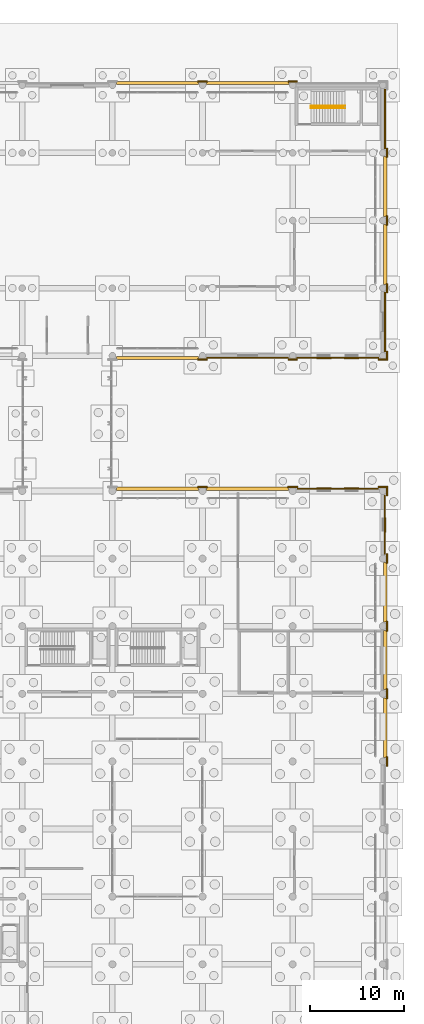
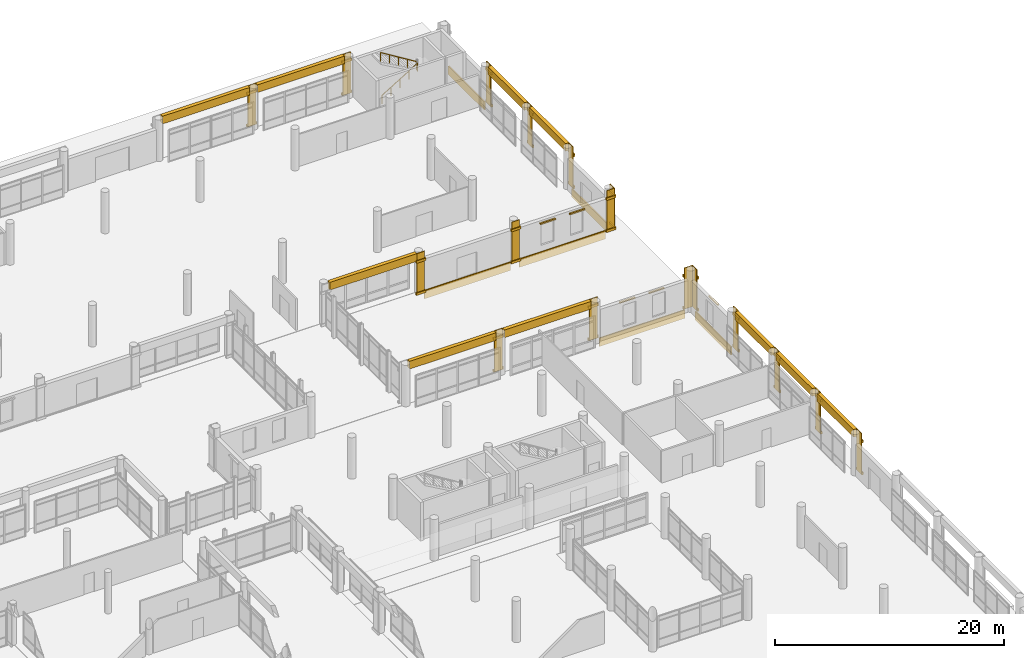
# One storey, part 193 of 196: 72 coverings, 2 railings.
"""IFC4 building model written with IfcOpenShell, lengths in metres."""

from ifc_helpers import new_model, si_unit, direction, frame, origin, origin_2d, place, context, subcontext, project, spatial, rectangle, circle, extrude, material, layer, layer_set, type_object, element, save


model = new_model("IFC4")

# Units and contexts
model_context = context("Model", 3, precision=1e-05, world=origin(), true_north=direction((0.0, 1.0)))
body_context = subcontext(model_context, "Body", "Model", "MODEL_VIEW")
ifc_project = project(units=[si_unit("LENGTHUNIT", "METRE"), si_unit("AREAUNIT", "SQUARE_METRE"), si_unit("VOLUMEUNIT", "CUBIC_METRE"), si_unit("PLANEANGLEUNIT", "RADIAN"), si_unit("MASSUNIT", "GRAM", prefix="KILO")], contexts=[model_context])

# Site, building, storey
site_placement = place(None, origin())
site = spatial("IfcSite", under=ifc_project, at=site_placement, CompositionType="ELEMENT")
building_placement = place(site_placement, origin())
building = spatial("IfcBuilding", under=site, at=building_placement, Name="Asteropetra Specialist Clinic", CompositionType="ELEMENT")
storey_placement = place(building_placement, origin())
storey = spatial("IfcBuildingStorey", under=building, at=storey_placement, Name="L00", CompositionType="ELEMENT", Elevation=0.0)

# Coverings
ifc_material_1 = material(Name="Pentelic marble ashlar", Category="masonry")
ifc_layer = layer(ifc_material_1, 0.159912109375)
ifc_layer_set = layer_set([ifc_layer], Name="Pentelic marble ashlar")
covering_type = type_object("IfcCoveringType", Name="CRN-ENTAB-600", PredefinedType="MOLDING", material=ifc_layer_set)
for number, where, z_axis, x_axis, name in (
    (1, (129.60009765625, 62.639892578125, 3.58984375), (0.0, 0.0, 1.0), (1.0, 0.0, 0.0), "Stoa Classical Entablature SE-0073"),
    (2, (139.199951171875, 62.639892578125, 3.58984375), (0.0, 0.0, 1.0), (1.0, 0.0, 0.0), "Stoa Classical Entablature SE-0075"),
):
    element("IfcCovering", number, at=place(storey_placement, frame(where, z_axis=z_axis, x_axis=x_axis)), inside=storey, type_object=covering_type, Name=name, PredefinedType="MOLDING", context=body_context, shape_type="SweptSolid", body=[
        extrude(rectangle(XDim=8.72998046875, YDim=0.360107421875, at=origin_2d()), origin(), (0.0, 0.0, 1.0), 0.820068359375),
    ])
for number, where, z_axis, x_axis, name in (
    (3, (153.840087890625, 37.199951171875, 3.58984375), (0.0, 0.0, 1.0), (1.0, 0.0, 0.0), "Stoa Classical Entablature SE-0083"),
    (4, (153.840087890625, 44.39990234375, 3.58984375), (0.0, 0.0, 1.0), (1.0, 0.0, 0.0), "Stoa Classical Entablature SE-0085"),
    (5, (153.840087890625, 51.60009765625, 3.58984375), (0.0, 0.0, 1.0), (1.0, 0.0, 0.0), "Stoa Classical Entablature SE-0086"),
):
    element("IfcCovering", number, at=place(storey_placement, frame(where, z_axis=z_axis, x_axis=x_axis)), inside=storey, type_object=covering_type, Name=name, PredefinedType="MOLDING", context=body_context, shape_type="SweptSolid", body=[
        extrude(rectangle(XDim=0.360107421875, YDim=6.330078125, at=origin_2d()), origin(), (0.0, 0.0, 1.0), 0.820068359375),
    ])
for number, where, z_axis, x_axis, name in (
    (6, (129.60009765625, 76.56005859375, 3.58984375), (0.0, 0.0, 1.0), (1.0, 0.0, 0.0), "Stoa Classical Entablature SE-0090"),
    (7, (129.60009765625, 105.840087890625, 3.58984375), (0.0, 0.0, 1.0), (1.0, 0.0, 0.0), "Stoa Classical Entablature SE-0091"),
    (8, (139.199951171875, 105.840087890625, 3.58984375), (0.0, 0.0, 1.0), (1.0, 0.0, 0.0), "Stoa Classical Entablature SE-0092"),
):
    element("IfcCovering", number, at=place(storey_placement, frame(where, z_axis=z_axis, x_axis=x_axis)), inside=storey, type_object=covering_type, Name=name, PredefinedType="MOLDING", context=body_context, shape_type="SweptSolid", body=[
        extrude(rectangle(XDim=8.780029296875, YDim=0.360107421875, at=origin_2d()), origin(), (0.0, 0.0, 1.0), 0.820068359375),
    ])
for number, where, z_axis, x_axis, name in (
    (9, (153.840087890625, 87.60009765625, 3.58984375), (0.0, 0.0, 1.0), (1.0, 0.0, 0.0), "Stoa Classical Entablature SE-0094"),
    (10, (153.840087890625, 94.800048828125, 3.58984375), (0.0, 0.0, 1.0), (1.0, 0.0, 0.0), "Stoa Classical Entablature SE-0096"),
):
    element("IfcCovering", number, at=place(storey_placement, frame(where, z_axis=z_axis, x_axis=x_axis)), inside=storey, type_object=covering_type, Name=name, PredefinedType="MOLDING", context=body_context, shape_type="SweptSolid", body=[
        extrude(rectangle(XDim=0.360107421875, YDim=6.3798828125, at=origin_2d()), origin(), (0.0, 0.0, 1.0), 0.820068359375),
    ])
covering_1_placement = place(storey_placement, frame((134.39990234375, 76.41796875, 0.02001953125), z_axis=(0.0, 0.0, 1.0), x_axis=(1.0, 0.0, 0.0)))
element("IfcCovering", 11, at=covering_1_placement, inside=storey, type_object=covering_type, Name="Neoclassical Pilaster Facing CM-0142", PredefinedType="MOLDING", context=body_context, shape_type="SweptSolid", body=[
    extrude(rectangle(XDim=0.780029296875, YDim=0.080078125, at=origin_2d()), origin(), (0.0, 0.0, 1.0), 4.3798828125),
])
for number, where, z_axis, x_axis, name in (
    (12, (134.39990234375, 76.3779296875, 0.009765625), (0.0, 0.0, 1.0), (1.0, 0.0, 0.0), "Doric Base CC-0143"),
    (13, (134.39990234375, 76.3779296875, 3.43017578125), (0.0, 0.0, 1.0), (1.0, 0.0, 0.0), "Doric Capital CC-0144"),
):
    element("IfcCovering", number, at=place(storey_placement, frame(where, z_axis=z_axis, x_axis=x_axis)), inside=storey, type_object=covering_type, Name=name, PredefinedType="MOLDING", context=body_context, shape_type="SweptSolid", body=[
        extrude(rectangle(XDim=0.97998046875, YDim=0.159912109375, at=origin_2d()), origin(), (0.0, 0.0, 1.0), 0.260009765625),
    ])
covering_2_placement = place(storey_placement, frame((134.39990234375, 105.98193359375, 0.02001953125), z_axis=(0.0, 0.0, 1.0), x_axis=(1.0, 0.0, 0.0)))
element("IfcCovering", 14, at=covering_2_placement, inside=storey, type_object=covering_type, Name="Neoclassical Pilaster Facing CM-0145", PredefinedType="MOLDING", context=body_context, shape_type="SweptSolid", body=[
    extrude(rectangle(XDim=0.780029296875, YDim=0.080078125, at=origin_2d()), origin(), (0.0, 0.0, 1.0), 4.3798828125),
])
for number, where, z_axis, x_axis, name in (
    (15, (134.39990234375, 106.02197265625, 0.009765625), (0.0, 0.0, 1.0), (1.0, 0.0, 0.0), "Doric Base CC-0146"),
    (16, (134.39990234375, 106.02197265625, 3.43017578125), (0.0, 0.0, 1.0), (1.0, 0.0, 0.0), "Doric Capital CC-0147"),
):
    element("IfcCovering", number, at=place(storey_placement, frame(where, z_axis=z_axis, x_axis=x_axis)), inside=storey, type_object=covering_type, Name=name, PredefinedType="MOLDING", context=body_context, shape_type="SweptSolid", body=[
        extrude(rectangle(XDim=0.97998046875, YDim=0.159912109375, at=origin_2d()), origin(), (0.0, 0.0, 1.0), 0.260009765625),
    ])
covering_3_placement = place(storey_placement, frame((144.0, 76.41796875, 0.02001953125), z_axis=(0.0, 0.0, 1.0), x_axis=(1.0, 0.0, 0.0)))
element("IfcCovering", 17, at=covering_3_placement, inside=storey, type_object=covering_type, Name="Neoclassical Pilaster Facing CM-0148", PredefinedType="MOLDING", context=body_context, shape_type="SweptSolid", body=[
    extrude(rectangle(XDim=0.780029296875, YDim=0.080078125, at=origin_2d()), origin(), (0.0, 0.0, 1.0), 4.3798828125),
])
for number, where, z_axis, x_axis, name in (
    (18, (144.0, 76.3779296875, 0.009765625), (0.0, 0.0, 1.0), (1.0, 0.0, 0.0), "Doric Base CC-0149"),
    (19, (144.0, 76.3779296875, 3.43017578125), (0.0, 0.0, 1.0), (1.0, 0.0, 0.0), "Doric Capital CC-0150"),
):
    element("IfcCovering", number, at=place(storey_placement, frame(where, z_axis=z_axis, x_axis=x_axis)), inside=storey, type_object=covering_type, Name=name, PredefinedType="MOLDING", context=body_context, shape_type="SweptSolid", body=[
        extrude(rectangle(XDim=0.97998046875, YDim=0.159912109375, at=origin_2d()), origin(), (0.0, 0.0, 1.0), 0.260009765625),
    ])
covering_4_placement = place(storey_placement, frame((144.0, 105.98193359375, 0.02001953125), z_axis=(0.0, 0.0, 1.0), x_axis=(1.0, 0.0, 0.0)))
element("IfcCovering", 20, at=covering_4_placement, inside=storey, type_object=covering_type, Name="Neoclassical Pilaster Facing CM-0151", PredefinedType="MOLDING", context=body_context, shape_type="SweptSolid", body=[
    extrude(rectangle(XDim=0.780029296875, YDim=0.080078125, at=origin_2d()), origin(), (0.0, 0.0, 1.0), 4.3798828125),
])
for number, where, z_axis, x_axis, name in (
    (21, (144.0, 106.02197265625, 0.009765625), (0.0, 0.0, 1.0), (1.0, 0.0, 0.0), "Doric Base CC-0152"),
    (22, (144.0, 106.02197265625, 3.43017578125), (0.0, 0.0, 1.0), (1.0, 0.0, 0.0), "Doric Capital CC-0153"),
):
    element("IfcCovering", number, at=place(storey_placement, frame(where, z_axis=z_axis, x_axis=x_axis)), inside=storey, type_object=covering_type, Name=name, PredefinedType="MOLDING", context=body_context, shape_type="SweptSolid", body=[
        extrude(rectangle(XDim=0.97998046875, YDim=0.159912109375, at=origin_2d()), origin(), (0.0, 0.0, 1.0), 0.260009765625),
    ])
covering_5_placement = place(storey_placement, frame((153.60009765625, 76.41796875, 0.02001953125), z_axis=(0.0, 0.0, 1.0), x_axis=(1.0, 0.0, 0.0)))
element("IfcCovering", 23, at=covering_5_placement, inside=storey, type_object=covering_type, Name="Neoclassical Pilaster Facing CM-0154", PredefinedType="MOLDING", context=body_context, shape_type="SweptSolid", body=[
    extrude(rectangle(XDim=0.780029296875, YDim=0.080078125, at=origin_2d()), origin(), (0.0, 0.0, 1.0), 4.3798828125),
])
for number, where, z_axis, x_axis, name in (
    (24, (153.60009765625, 76.3779296875, 0.009765625), (0.0, 0.0, 1.0), (1.0, 0.0, 0.0), "Doric Base CC-0155"),
    (25, (153.60009765625, 76.3779296875, 3.43017578125), (0.0, 0.0, 1.0), (1.0, 0.0, 0.0), "Doric Capital CC-0156"),
):
    element("IfcCovering", number, at=place(storey_placement, frame(where, z_axis=z_axis, x_axis=x_axis)), inside=storey, type_object=covering_type, Name=name, PredefinedType="MOLDING", context=body_context, shape_type="SweptSolid", body=[
        extrude(rectangle(XDim=0.97998046875, YDim=0.159912109375, at=origin_2d()), origin(), (0.0, 0.0, 1.0), 0.260009765625),
    ])
covering_6_placement = place(storey_placement, frame((153.98193359375, 76.800048828125, 0.02001953125), z_axis=(0.0, 0.0, 1.0), x_axis=(1.0, 0.0, 0.0)))
element("IfcCovering", 26, at=covering_6_placement, inside=storey, type_object=covering_type, Name="Neoclassical Pilaster Facing CM-0157", PredefinedType="MOLDING", context=body_context, shape_type="SweptSolid", body=[
    extrude(rectangle(XDim=0.080078125, YDim=0.780029296875, at=origin_2d()), origin(), (0.0, 0.0, 1.0), 4.3798828125),
])
for number, where, z_axis, x_axis, name in (
    (27, (154.02197265625, 76.800048828125, 0.009765625), (0.0, 0.0, 1.0), (1.0, 0.0, 0.0), "Doric Base CC-0158"),
    (28, (154.02197265625, 76.800048828125, 3.43017578125), (0.0, 0.0, 1.0), (1.0, 0.0, 0.0), "Doric Capital CC-0159"),
):
    element("IfcCovering", number, at=place(storey_placement, frame(where, z_axis=z_axis, x_axis=x_axis)), inside=storey, type_object=covering_type, Name=name, PredefinedType="MOLDING", context=body_context, shape_type="SweptSolid", body=[
        extrude(rectangle(XDim=0.159912109375, YDim=0.97998046875, at=origin_2d()), origin(), (0.0, 0.0, 1.0), 0.260009765625),
    ])
covering_7_placement = place(storey_placement, frame((153.98193359375, 84.0, 0.02001953125), z_axis=(0.0, 0.0, 1.0), x_axis=(1.0, 0.0, 0.0)))
element("IfcCovering", 29, at=covering_7_placement, inside=storey, type_object=covering_type, Name="Neoclassical Pilaster Facing CM-0160", PredefinedType="MOLDING", context=body_context, shape_type="SweptSolid", body=[
    extrude(rectangle(XDim=0.080078125, YDim=0.780029296875, at=origin_2d()), origin(), (0.0, 0.0, 1.0), 4.3798828125),
])
for number, where, z_axis, x_axis, name in (
    (30, (154.02197265625, 84.0, 0.009765625), (0.0, 0.0, 1.0), (1.0, 0.0, 0.0), "Doric Base CC-0161"),
    (31, (154.02197265625, 84.0, 3.43017578125), (0.0, 0.0, 1.0), (1.0, 0.0, 0.0), "Doric Capital CC-0162"),
):
    element("IfcCovering", number, at=place(storey_placement, frame(where, z_axis=z_axis, x_axis=x_axis)), inside=storey, type_object=covering_type, Name=name, PredefinedType="MOLDING", context=body_context, shape_type="SweptSolid", body=[
        extrude(rectangle(XDim=0.159912109375, YDim=0.97998046875, at=origin_2d()), origin(), (0.0, 0.0, 1.0), 0.260009765625),
    ])
covering_8_placement = place(storey_placement, frame((153.98193359375, 91.199951171875, 0.02001953125), z_axis=(0.0, 0.0, 1.0), x_axis=(1.0, 0.0, 0.0)))
element("IfcCovering", 32, at=covering_8_placement, inside=storey, type_object=covering_type, Name="Neoclassical Pilaster Facing CM-0163", PredefinedType="MOLDING", context=body_context, shape_type="SweptSolid", body=[
    extrude(rectangle(XDim=0.080078125, YDim=0.780029296875, at=origin_2d()), origin(), (0.0, 0.0, 1.0), 4.3798828125),
])
for number, where, z_axis, x_axis, name in (
    (33, (154.02197265625, 91.199951171875, 0.009765625), (0.0, 0.0, 1.0), (1.0, 0.0, 0.0), "Doric Base CC-0164"),
    (34, (154.02197265625, 91.199951171875, 3.43017578125), (0.0, 0.0, 1.0), (1.0, 0.0, 0.0), "Doric Capital CC-0165"),
):
    element("IfcCovering", number, at=place(storey_placement, frame(where, z_axis=z_axis, x_axis=x_axis)), inside=storey, type_object=covering_type, Name=name, PredefinedType="MOLDING", context=body_context, shape_type="SweptSolid", body=[
        extrude(rectangle(XDim=0.159912109375, YDim=0.97998046875, at=origin_2d()), origin(), (0.0, 0.0, 1.0), 0.260009765625),
    ])
covering_9_placement = place(storey_placement, frame((153.98193359375, 98.39990234375, 0.02001953125), z_axis=(0.0, 0.0, 1.0), x_axis=(1.0, 0.0, 0.0)))
element("IfcCovering", 35, at=covering_9_placement, inside=storey, type_object=covering_type, Name="Neoclassical Pilaster Facing CM-0166", PredefinedType="MOLDING", context=body_context, shape_type="SweptSolid", body=[
    extrude(rectangle(XDim=0.080078125, YDim=0.780029296875, at=origin_2d()), origin(), (0.0, 0.0, 1.0), 4.3798828125),
])
for number, where, z_axis, x_axis, name in (
    (36, (154.02197265625, 98.39990234375, 0.009765625), (0.0, 0.0, 1.0), (1.0, 0.0, 0.0), "Doric Base CC-0167"),
    (37, (154.02197265625, 98.39990234375, 3.43017578125), (0.0, 0.0, 1.0), (1.0, 0.0, 0.0), "Doric Capital CC-0168"),
):
    element("IfcCovering", number, at=place(storey_placement, frame(where, z_axis=z_axis, x_axis=x_axis)), inside=storey, type_object=covering_type, Name=name, PredefinedType="MOLDING", context=body_context, shape_type="SweptSolid", body=[
        extrude(rectangle(XDim=0.159912109375, YDim=0.97998046875, at=origin_2d()), origin(), (0.0, 0.0, 1.0), 0.260009765625),
    ])
covering_10_placement = place(storey_placement, frame((134.39990234375, 62.806884765625, 0.02001953125), z_axis=(0.0, 0.0, 1.0), x_axis=(1.0, 0.0, 0.0)))
element("IfcCovering", 38, at=covering_10_placement, inside=storey, type_object=covering_type, Name="Neoclassical Pilaster Facing CM-0968", PredefinedType="MOLDING", context=body_context, shape_type="SweptSolid", body=[
    extrude(rectangle(XDim=0.830078125, YDim=0.080078125, at=origin_2d()), origin(), (0.0, 0.0, 1.0), 4.3798828125),
])
for number, where, z_axis, x_axis, name in (
    (39, (134.39990234375, 62.846923828125, 0.009765625), (0.0, 0.0, 1.0), (1.0, 0.0, 0.0), "Doric Base CC-0969"),
    (40, (134.39990234375, 62.846923828125, 3.43017578125), (0.0, 0.0, 1.0), (1.0, 0.0, 0.0), "Doric Capital CC-0970"),
):
    element("IfcCovering", number, at=place(storey_placement, frame(where, z_axis=z_axis, x_axis=x_axis)), inside=storey, type_object=covering_type, Name=name, PredefinedType="MOLDING", context=body_context, shape_type="SweptSolid", body=[
        extrude(rectangle(XDim=1.030029296875, YDim=0.159912109375, at=origin_2d()), origin(), (0.0, 0.0, 1.0), 0.260009765625),
    ])
covering_11_placement = place(storey_placement, frame((144.0, 62.806884765625, 0.02001953125), z_axis=(0.0, 0.0, 1.0), x_axis=(1.0, 0.0, 0.0)))
element("IfcCovering", 41, at=covering_11_placement, inside=storey, type_object=covering_type, Name="Neoclassical Pilaster Facing CM-0974", PredefinedType="MOLDING", context=body_context, shape_type="SweptSolid", body=[
    extrude(rectangle(XDim=0.830078125, YDim=0.080078125, at=origin_2d()), origin(), (0.0, 0.0, 1.0), 4.3798828125),
])
for number, where, z_axis, x_axis, name in (
    (42, (144.0, 62.846923828125, 0.009765625), (0.0, 0.0, 1.0), (1.0, 0.0, 0.0), "Doric Base CC-0975"),
    (43, (144.0, 62.846923828125, 3.43017578125), (0.0, 0.0, 1.0), (1.0, 0.0, 0.0), "Doric Capital CC-0976"),
):
    element("IfcCovering", number, at=place(storey_placement, frame(where, z_axis=z_axis, x_axis=x_axis)), inside=storey, type_object=covering_type, Name=name, PredefinedType="MOLDING", context=body_context, shape_type="SweptSolid", body=[
        extrude(rectangle(XDim=1.030029296875, YDim=0.159912109375, at=origin_2d()), origin(), (0.0, 0.0, 1.0), 0.260009765625),
    ])
covering_12_placement = place(storey_placement, frame((154.007080078125, 33.60009765625, 0.02001953125), z_axis=(0.0, 0.0, 1.0), x_axis=(1.0, 0.0, 0.0)))
element("IfcCovering", 44, at=covering_12_placement, inside=storey, type_object=covering_type, Name="Neoclassical Pilaster Facing CM-0995", PredefinedType="MOLDING", context=body_context, shape_type="SweptSolid", body=[
    extrude(rectangle(XDim=0.080078125, YDim=0.830078125, at=origin_2d()), origin(), (0.0, 0.0, 1.0), 4.3798828125),
])
for number, where, z_axis, x_axis, name in (
    (45, (154.047119140625, 33.60009765625, 0.009765625), (0.0, 0.0, 1.0), (1.0, 0.0, 0.0), "Doric Base CC-0996"),
    (46, (154.047119140625, 33.60009765625, 3.43017578125), (0.0, 0.0, 1.0), (1.0, 0.0, 0.0), "Doric Capital CC-0997"),
):
    element("IfcCovering", number, at=place(storey_placement, frame(where, z_axis=z_axis, x_axis=x_axis)), inside=storey, type_object=covering_type, Name=name, PredefinedType="MOLDING", context=body_context, shape_type="SweptSolid", body=[
        extrude(rectangle(XDim=0.159912109375, YDim=1.030029296875, at=origin_2d()), origin(), (0.0, 0.0, 1.0), 0.260009765625),
    ])
covering_13_placement = place(storey_placement, frame((154.007080078125, 40.800048828125, 0.02001953125), z_axis=(0.0, 0.0, 1.0), x_axis=(1.0, 0.0, 0.0)))
element("IfcCovering", 47, at=covering_13_placement, inside=storey, type_object=covering_type, Name="Neoclassical Pilaster Facing CM-0998", PredefinedType="MOLDING", context=body_context, shape_type="SweptSolid", body=[
    extrude(rectangle(XDim=0.080078125, YDim=0.830078125, at=origin_2d()), origin(), (0.0, 0.0, 1.0), 4.3798828125),
])
for number, where, z_axis, x_axis, name in (
    (48, (154.047119140625, 40.800048828125, 0.009765625), (0.0, 0.0, 1.0), (1.0, 0.0, 0.0), "Doric Base CC-0999"),
    (49, (154.047119140625, 40.800048828125, 3.43017578125), (0.0, 0.0, 1.0), (1.0, 0.0, 0.0), "Doric Capital CC-1000"),
):
    element("IfcCovering", number, at=place(storey_placement, frame(where, z_axis=z_axis, x_axis=x_axis)), inside=storey, type_object=covering_type, Name=name, PredefinedType="MOLDING", context=body_context, shape_type="SweptSolid", body=[
        extrude(rectangle(XDim=0.159912109375, YDim=1.030029296875, at=origin_2d()), origin(), (0.0, 0.0, 1.0), 0.260009765625),
    ])
covering_14_placement = place(storey_placement, frame((154.007080078125, 48.0, 0.02001953125), z_axis=(0.0, 0.0, 1.0), x_axis=(1.0, 0.0, 0.0)))
element("IfcCovering", 50, at=covering_14_placement, inside=storey, type_object=covering_type, Name="Neoclassical Pilaster Facing CM-1001", PredefinedType="MOLDING", context=body_context, shape_type="SweptSolid", body=[
    extrude(rectangle(XDim=0.080078125, YDim=0.830078125, at=origin_2d()), origin(), (0.0, 0.0, 1.0), 4.3798828125),
])
for number, where, z_axis, x_axis, name in (
    (51, (154.047119140625, 48.0, 0.009765625), (0.0, 0.0, 1.0), (1.0, 0.0, 0.0), "Doric Base CC-1002"),
    (52, (154.047119140625, 48.0, 3.43017578125), (0.0, 0.0, 1.0), (1.0, 0.0, 0.0), "Doric Capital CC-1003"),
):
    element("IfcCovering", number, at=place(storey_placement, frame(where, z_axis=z_axis, x_axis=x_axis)), inside=storey, type_object=covering_type, Name=name, PredefinedType="MOLDING", context=body_context, shape_type="SweptSolid", body=[
        extrude(rectangle(XDim=0.159912109375, YDim=1.030029296875, at=origin_2d()), origin(), (0.0, 0.0, 1.0), 0.260009765625),
    ])
covering_15_placement = place(storey_placement, frame((154.007080078125, 55.199951171875, 0.02001953125), z_axis=(0.0, 0.0, 1.0), x_axis=(1.0, 0.0, 0.0)))
element("IfcCovering", 53, at=covering_15_placement, inside=storey, type_object=covering_type, Name="Neoclassical Pilaster Facing CM-1004", PredefinedType="MOLDING", context=body_context, shape_type="SweptSolid", body=[
    extrude(rectangle(XDim=0.080078125, YDim=0.830078125, at=origin_2d()), origin(), (0.0, 0.0, 1.0), 4.3798828125),
])
for number, where, z_axis, x_axis, name in (
    (54, (154.047119140625, 55.199951171875, 0.009765625), (0.0, 0.0, 1.0), (1.0, 0.0, 0.0), "Doric Base CC-1005"),
    (55, (154.047119140625, 55.199951171875, 3.43017578125), (0.0, 0.0, 1.0), (1.0, 0.0, 0.0), "Doric Capital CC-1006"),
):
    element("IfcCovering", number, at=place(storey_placement, frame(where, z_axis=z_axis, x_axis=x_axis)), inside=storey, type_object=covering_type, Name=name, PredefinedType="MOLDING", context=body_context, shape_type="SweptSolid", body=[
        extrude(rectangle(XDim=0.159912109375, YDim=1.030029296875, at=origin_2d()), origin(), (0.0, 0.0, 1.0), 0.260009765625),
    ])
covering_16_placement = place(storey_placement, frame((153.60009765625, 62.806884765625, 0.02001953125), z_axis=(0.0, 0.0, 1.0), x_axis=(1.0, 0.0, 0.0)))
element("IfcCovering", 56, at=covering_16_placement, inside=storey, type_object=covering_type, Name="Neoclassical Pilaster Facing CM-1007", PredefinedType="MOLDING", context=body_context, shape_type="SweptSolid", body=[
    extrude(rectangle(XDim=0.830078125, YDim=0.080078125, at=origin_2d()), origin(), (0.0, 0.0, 1.0), 4.3798828125),
])
for number, where, z_axis, x_axis, name in (
    (57, (153.60009765625, 62.846923828125, 0.009765625), (0.0, 0.0, 1.0), (1.0, 0.0, 0.0), "Doric Base CC-1008"),
    (58, (153.60009765625, 62.846923828125, 3.43017578125), (0.0, 0.0, 1.0), (1.0, 0.0, 0.0), "Doric Capital CC-1009"),
):
    element("IfcCovering", number, at=place(storey_placement, frame(where, z_axis=z_axis, x_axis=x_axis)), inside=storey, type_object=covering_type, Name=name, PredefinedType="MOLDING", context=body_context, shape_type="SweptSolid", body=[
        extrude(rectangle(XDim=1.030029296875, YDim=0.159912109375, at=origin_2d()), origin(), (0.0, 0.0, 1.0), 0.260009765625),
    ])
covering_17_placement = place(storey_placement, frame((154.007080078125, 62.39990234375, 0.02001953125), z_axis=(0.0, 0.0, 1.0), x_axis=(1.0, 0.0, 0.0)))
element("IfcCovering", 59, at=covering_17_placement, inside=storey, type_object=covering_type, Name="Neoclassical Pilaster Facing CM-1010", PredefinedType="MOLDING", context=body_context, shape_type="SweptSolid", body=[
    extrude(rectangle(XDim=0.080078125, YDim=0.830078125, at=origin_2d()), origin(), (0.0, 0.0, 1.0), 4.3798828125),
])
for number, where, z_axis, x_axis, name in (
    (60, (154.047119140625, 62.39990234375, 0.009765625), (0.0, 0.0, 1.0), (1.0, 0.0, 0.0), "Doric Base CC-1011"),
    (61, (154.047119140625, 62.39990234375, 3.43017578125), (0.0, 0.0, 1.0), (1.0, 0.0, 0.0), "Doric Capital CC-1012"),
):
    element("IfcCovering", number, at=place(storey_placement, frame(where, z_axis=z_axis, x_axis=x_axis)), inside=storey, type_object=covering_type, Name=name, PredefinedType="MOLDING", context=body_context, shape_type="SweptSolid", body=[
        extrude(rectangle(XDim=0.159912109375, YDim=1.030029296875, at=origin_2d()), origin(), (0.0, 0.0, 1.0), 0.260009765625),
    ])
covering_18_placement = place(storey_placement, frame((139.199951171875, 76.570068359375, -0.800048828125), z_axis=(0.0, 0.0, 1.0), x_axis=(1.0, 0.0, 0.0)))
element("IfcCovering", 62, at=covering_18_placement, inside=storey, type_object=covering_type, Name="Chevron Spandrel Band CV-1195", PredefinedType="MOLDING", context=body_context, shape_type="SweptSolid", body=[
    extrude(rectangle(XDim=8.699951171875, YDim=0.1201171875, at=origin_2d()), origin(), (0.0, 0.0, 1.0), 0.8798828125),
])
for number, where, z_axis, x_axis, name in (
    (63, (147.316650390625, 76.5400390625, 3.05029296875), (0.0, 0.0, 1.0), (1.0, 0.0, 0.0), "Classical Window Hood WH-1196"),
    (64, (150.283203125, 76.5400390625, 3.05029296875), (0.0, 0.0, 1.0), (1.0, 0.0, 0.0), "Classical Window Hood WH-1197"),
):
    element("IfcCovering", number, at=place(storey_placement, frame(where, z_axis=z_axis, x_axis=x_axis)), inside=storey, type_object=covering_type, Name=name, PredefinedType="MOLDING", context=body_context, shape_type="SweptSolid", body=[
        extrude(rectangle(XDim=1.5400390625, YDim=0.159912109375, at=origin_2d()), origin(), (0.0, 0.0, 1.0), 0.139892578125),
    ])
covering_19_placement = place(storey_placement, frame((148.800048828125, 76.570068359375, -0.800048828125), z_axis=(0.0, 0.0, 1.0), x_axis=(1.0, 0.0, 0.0)))
element("IfcCovering", 65, at=covering_19_placement, inside=storey, type_object=covering_type, Name="Chevron Spandrel Band CV-1198", PredefinedType="MOLDING", context=body_context, shape_type="SweptSolid", body=[
    extrude(rectangle(XDim=8.699951171875, YDim=0.1201171875, at=origin_2d()), origin(), (0.0, 0.0, 1.0), 0.8798828125),
])
for number, where, z_axis, x_axis, name in (
    (66, (153.830078125, 80.39990234375, -0.800048828125), (0.0, 0.0, 1.0), (1.0, 0.0, 0.0), "Chevron Spandrel Band CV-1200"),
    (67, (153.830078125, 102.0, -0.800048828125), (0.0, 0.0, 1.0), (1.0, 0.0, 0.0), "Chevron Spandrel Band CV-1202"),
):
    element("IfcCovering", number, at=place(storey_placement, frame(where, z_axis=z_axis, x_axis=x_axis)), inside=storey, type_object=covering_type, Name=name, PredefinedType="MOLDING", context=body_context, shape_type="SweptSolid", body=[
        extrude(rectangle(XDim=0.1201171875, YDim=6.300048828125, at=origin_2d()), origin(), (0.0, 0.0, 1.0), 0.8798828125),
    ])
for number, where, z_axis, x_axis, name in (
    (68, (150.27490234375, 62.64990234375, 3.05029296875), (0.0, 0.0, 1.0), (1.0, 0.0, 0.0), "Classical Window Hood WH-1998"),
    (69, (147.324951171875, 62.64990234375, 3.05029296875), (0.0, 0.0, 1.0), (1.0, 0.0, 0.0), "Classical Window Hood WH-1999"),
):
    element("IfcCovering", number, at=place(storey_placement, frame(where, z_axis=z_axis, x_axis=x_axis)), inside=storey, type_object=covering_type, Name=name, PredefinedType="MOLDING", context=body_context, shape_type="SweptSolid", body=[
        extrude(rectangle(XDim=1.5400390625, YDim=0.159912109375, at=origin_2d()), origin(), (0.0, 0.0, 1.0), 0.139892578125),
    ])
covering_20_placement = place(storey_placement, frame((148.800048828125, 62.6201171875, -0.800048828125), z_axis=(0.0, 0.0, 1.0), x_axis=(1.0, 0.0, 0.0)))
element("IfcCovering", 70, at=covering_20_placement, inside=storey, type_object=covering_type, Name="Chevron Spandrel Band CV-2000", PredefinedType="MOLDING", context=body_context, shape_type="SweptSolid", body=[
    extrude(rectangle(XDim=8.64990234375, YDim=0.1201171875, at=origin_2d()), origin(), (0.0, 0.0, 1.0), 0.8798828125),
])
covering_21_placement = place(storey_placement, frame((153.85009765625, 58.800048828125, 3.05029296875), z_axis=(0.0, 0.0, 1.0), x_axis=(1.0, 0.0, 0.0)))
element("IfcCovering", 71, at=covering_21_placement, inside=storey, type_object=covering_type, Name="Classical Window Hood WH-2009", PredefinedType="MOLDING", context=body_context, shape_type="SweptSolid", body=[
    extrude(rectangle(XDim=0.159912109375, YDim=1.5400390625, at=origin_2d()), origin(), (0.0, 0.0, 1.0), 0.139892578125),
])
covering_22_placement = place(storey_placement, frame((153.820068359375, 58.800048828125, -0.800048828125), z_axis=(0.0, 0.0, 1.0), x_axis=(1.0, 0.0, 0.0)))
element("IfcCovering", 72, at=covering_22_placement, inside=storey, type_object=covering_type, Name="Chevron Spandrel Band CV-2010", PredefinedType="MOLDING", context=body_context, shape_type="SweptSolid", body=[
    extrude(rectangle(XDim=0.1201171875, YDim=6.25, at=origin_2d()), origin(), (0.0, 0.0, 1.0), 0.8798828125),
])

# Railings
ifc_material_2 = material(Name="Brushed stainless steel handrail", Category="steel")
railing_type = type_object("IfcRailingType", Name="HRL-STAIR-920", PredefinedType="HANDRAIL", material=ifc_material_2)
railing_1_placement = place(storey_placement, frame((145.949951171875, 103.169921875, 0.0)))
element("IfcRailing", 73, at=railing_1_placement, inside=storey, type_object=railing_type, Name="Stair Handrail ST12-L00 F1", PredefinedType="HANDRAIL", context=body_context, shape_type="SweptSolid", body=[
    extrude(circle(Radius=0.02392578125, at=origin_2d()), frame((0.0, 0.0, 0.89599609375), z_axis=(0.85223722916, 0.0, 0.523155526811), x_axis=(0.0, 1.0, 0.0)), (0.0, 0.0, 1.0), 4.224365234375),
    extrude(circle(Radius=0.02099609375, at=origin_2d()), origin(), (0.0, 0.0, 1.0), 0.871826171875),
    extrude(circle(Radius=0.02099609375, at=origin_2d()), frame((0.89990234375, 0.0, 0.552490234375)), (0.0, 0.0, 1.0), 0.871826171875),
    extrude(circle(Radius=0.02099609375, at=origin_2d()), frame((1.800048828125, 0.0, 1.10498046875)), (0.0, 0.0, 1.0), 0.871826171875),
    extrude(circle(Radius=0.02099609375, at=origin_2d()), frame((2.7001953125, 0.0, 1.657470703125)), (0.0, 0.0, 1.0), 0.871826171875),
    extrude(circle(Radius=0.02099609375, at=origin_2d()), frame((3.60009765625, 0.0, 2.2099609375)), (0.0, 0.0, 1.0), 0.871826171875),
])
railing_2_placement = place(storey_placement, frame((149.550048828125, 103.409912109375, 2.2099609375)))
element("IfcRailing", 74, at=railing_2_placement, inside=storey, type_object=railing_type, Name="Stair Handrail ST12-L00 F2", PredefinedType="HANDRAIL", context=body_context, shape_type="SweptSolid", body=[
    extrude(circle(Radius=0.02392578125, at=origin_2d()), frame((0.0, 0.0, 0.89599609375), z_axis=(-0.85223722916, 0.0, 0.523155526811), x_axis=(0.0, -1.0, 0.0)), (0.0, 0.0, 1.0), 4.224365234375),
    extrude(circle(Radius=0.02099609375, at=origin_2d()), origin(), (0.0, 0.0, 1.0), 0.871826171875),
    extrude(circle(Radius=0.02099609375, at=origin_2d()), frame((-0.89990234375, 0.0, 0.552490234375)), (0.0, 0.0, 1.0), 0.871826171875),
    extrude(circle(Radius=0.02099609375, at=origin_2d()), frame((-1.800048828125, 0.0, 1.10498046875)), (0.0, 0.0, 1.0), 0.871826171875),
    extrude(circle(Radius=0.02099609375, at=origin_2d()), frame((-2.7001953125, 0.0, 1.657470703125)), (0.0, 0.0, 1.0), 0.871826171875),
    extrude(circle(Radius=0.02099609375, at=origin_2d()), frame((-3.60009765625, 0.0, 2.2099609375)), (0.0, 0.0, 1.0), 0.871826171875),
])

save(model, "model.ifc")
